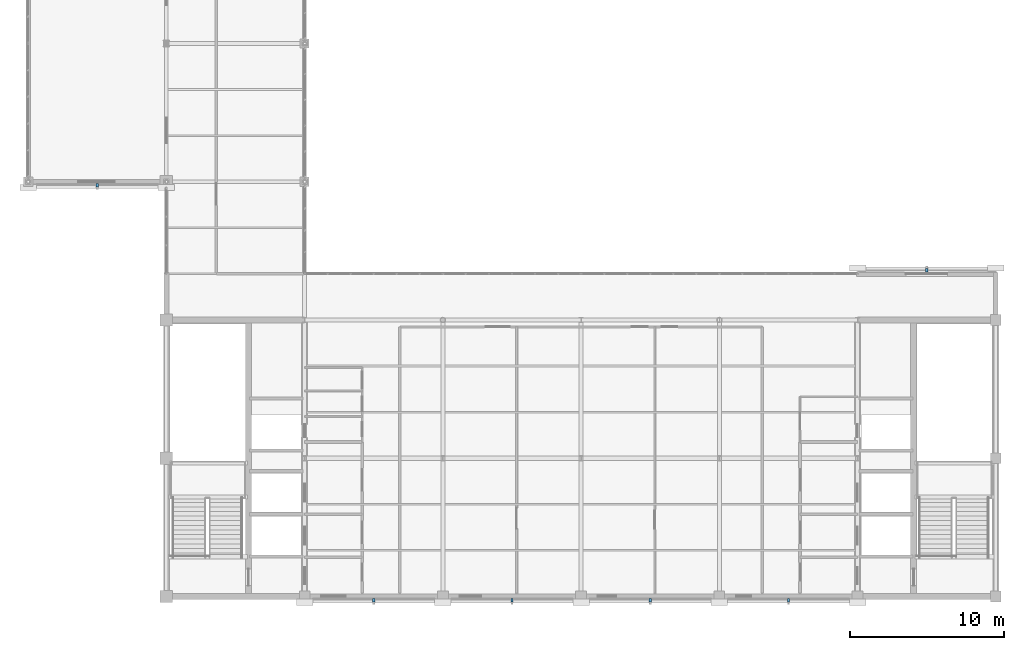
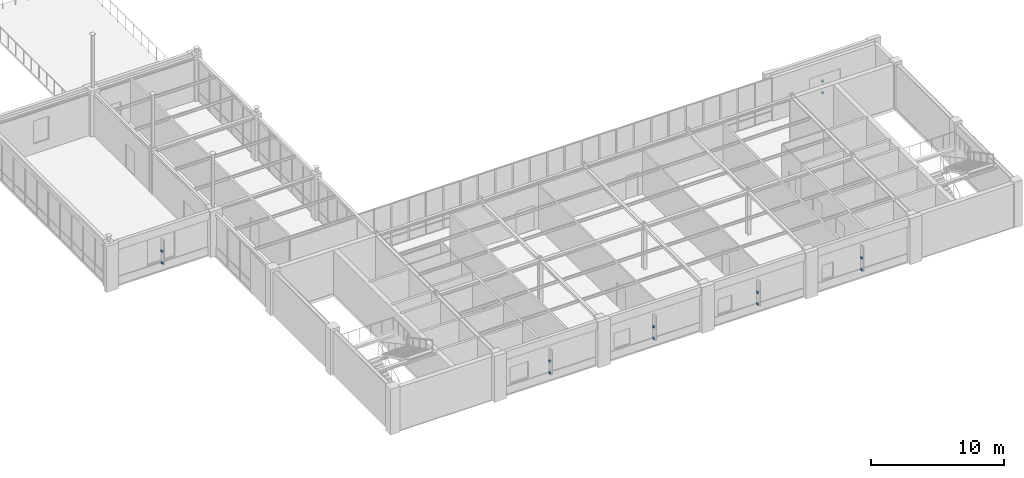
# One storey, part 33 of 36: 12 discrete accessories.
"""IFC4 building model written with IfcOpenShell, lengths in metres."""

from ifc_helpers import new_model, si_unit, direction, frame, origin, origin_2d, place, context, subcontext, project, spatial, rectangle, extrude, material, type_object, element, save


model = new_model("IFC4")

# Units and contexts
model_context = context("Model", 3, precision=1e-05, world=origin(), true_north=direction((0.0, 1.0)))
body_context = subcontext(model_context, "Body", "Model", "MODEL_VIEW")
ifc_project = project(units=[si_unit("LENGTHUNIT", "METRE"), si_unit("AREAUNIT", "SQUARE_METRE"), si_unit("VOLUMEUNIT", "CUBIC_METRE"), si_unit("PLANEANGLEUNIT", "RADIAN"), si_unit("MASSUNIT", "GRAM", prefix="KILO")], contexts=[model_context])

# Site, building, storey
site_placement = place(None, origin())
site = spatial("IfcSite", under=ifc_project, at=site_placement, CompositionType="ELEMENT")
building_placement = place(site_placement, origin())
building = spatial("IfcBuilding", under=site, at=building_placement, Name="Lykobir Media Centre", CompositionType="ELEMENT")
storey_placement = place(building_placement, frame((0.0, 0.0, 27.60009765625)))
storey = spatial("IfcBuildingStorey", under=building, at=storey_placement, Name="L06", CompositionType="ELEMENT", Elevation=27.60009765625)

# Discrete accessories
ifc_material = material(Name="Steel S355", Category="steel")
discrete_accessory_type = type_object("IfcDiscreteAccessoryType", Name="ACC-BRK", PredefinedType="BRACKET", material=ifc_material)
for number, where, z_axis, x_axis, name in (
    (1, (40.5, -0.235107421875, 0.69970703125), (0.0, 0.0, 1.0), (1.0, 0.0, 0.0), "Cumba corbel bracket 227"),
    (2, (40.5, -0.235107421875, 1.77001953125), (0.0, 0.0, 1.0), (1.0, 0.0, 0.0), "Shading fin bracket 228"),
    (3, (49.5, -0.235107421875, 0.69970703125), (0.0, 0.0, 1.0), (1.0, 0.0, 0.0), "Cumba corbel bracket 229"),
    (4, (49.5, -0.235107421875, 1.77001953125), (0.0, 0.0, 1.0), (1.0, 0.0, 0.0), "Shading fin bracket 230"),
    (5, (58.5, -0.235107421875, 0.69970703125), (0.0, 0.0, 1.0), (1.0, 0.0, 0.0), "Cumba corbel bracket 231"),
    (6, (58.5, -0.235107421875, 1.77001953125), (0.0, 0.0, 1.0), (1.0, 0.0, 0.0), "Shading fin bracket 232"),
    (7, (67.5, -0.235107421875, 0.69970703125), (0.0, 0.0, 1.0), (1.0, 0.0, 0.0), "Cumba corbel bracket 233"),
    (8, (67.5, -0.235107421875, 1.77001953125), (0.0, 0.0, 1.0), (1.0, 0.0, 0.0), "Shading fin bracket 234"),
    (9, (76.5, 21.235107421875, 0.69970703125), (0.0, 0.0, 1.0), (-1.0, 0.0, 0.0), "Cumba corbel bracket 235"),
    (10, (76.5, 21.235107421875, 1.77001953125), (0.0, 0.0, 1.0), (-1.0, 0.0, 0.0), "Shading fin bracket 236"),
    (11, (22.5, 26.764892578125, 0.69970703125), (0.0, 0.0, 1.0), (1.0, 0.0, 0.0), "Cumba corbel bracket 241"),
    (12, (22.5, 26.764892578125, 1.77001953125), (0.0, 0.0, 1.0), (1.0, 0.0, 0.0), "Shading fin bracket 242"),
):
    element("IfcDiscreteAccessory", number, at=place(storey_placement, frame(where, z_axis=z_axis, x_axis=x_axis)), inside=storey, type_object=discrete_accessory_type, Name=name, PredefinedType="BRACKET", context=body_context, shape_type="SweptSolid", body=[
        extrude(rectangle(XDim=0.159912109375, YDim=0.219970703125, at=origin_2d()), origin(), (0.0, 0.0, 1.0), 0.159912109375),
    ])

save(model, "model.ifc")
